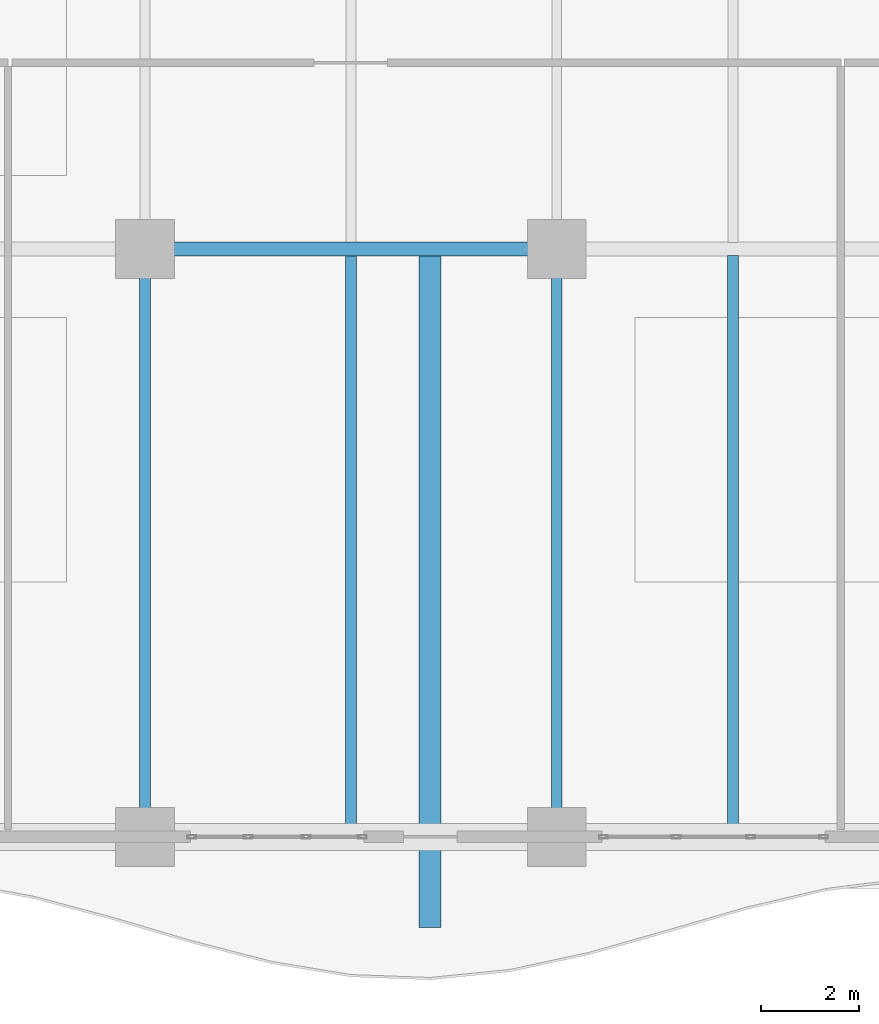
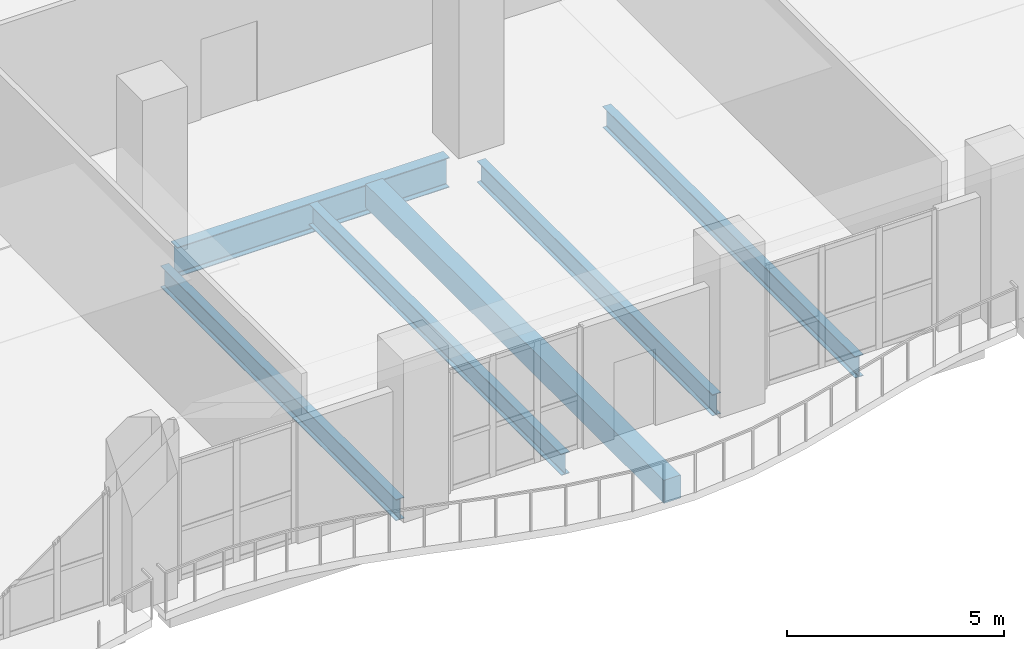
# One storey, part 13 of 37: 6 beams.
"""IFC4 building model written with IfcOpenShell, lengths in metres."""

from ifc_helpers import new_model, si_unit, direction, frame, origin, origin_2d, place, context, subcontext, project, spatial, rectangle, i_section, extrude, material, material_profile, profile_set, type_object, element, save


model = new_model("IFC4")

# Units and contexts
model_context = context("Model", 3, precision=1e-05, world=origin(), true_north=direction((0.0, 1.0)))
body_context = subcontext(model_context, "Body", "Model", "MODEL_VIEW")
ifc_project = project(units=[si_unit("LENGTHUNIT", "METRE"), si_unit("AREAUNIT", "SQUARE_METRE"), si_unit("VOLUMEUNIT", "CUBIC_METRE"), si_unit("PLANEANGLEUNIT", "RADIAN"), si_unit("MASSUNIT", "GRAM", prefix="KILO")], contexts=[model_context])

# Site, building, storey
site_placement = place(None, origin())
site = spatial("IfcSite", under=ifc_project, at=site_placement, CompositionType="ELEMENT")
building_placement = place(site_placement, origin())
building = spatial("IfcBuilding", under=site, at=building_placement, Name="Kaelvorn Grand Hotel", CompositionType="ELEMENT")
storey_placement = place(building_placement, frame((0.0, 0.0, 224.35009765625)))
storey = spatial("IfcBuildingStorey", under=building, at=storey_placement, Name="L55", CompositionType="ELEMENT", Elevation=224.35009765625)

# Beams
ifc_material_1 = material(Name="Steel S355", Category="steel")
ifc_material_profile_1 = material_profile(ifc_material_1, i_section(OverallWidth=0.29248046875, OverallDepth=0.8408203125, WebThickness=0.0146484375, FlangeThickness=0.021728515625, FilletRadius=0.017822265625, at=origin_2d()), Name="UB 838x292x194")
ifc_profile_set_1 = profile_set([ifc_material_profile_1], Name="Steel S355")
beam_type_1 = type_object("IfcBeamType", Name="BM-G-UB838-S355", PredefinedType="BEAM", material=ifc_profile_set_1)
beam_1_placement = place(storey_placement, frame((38.385009765625, 15.0, -0.660400390625), z_axis=(1.0, 0.0, 0.0), x_axis=(0.0, 1.0, 0.0)))
element("IfcBeam", 1, at=beam_1_placement, inside=storey, type_object=beam_type_1, Name="L55 Primary Spine Steel Girder G-15 04", PredefinedType="BEAM", context=body_context, shape_type="SweptSolid", body=[
    extrude(i_section(OverallWidth=0.29248046875, OverallDepth=0.8408203125, WebThickness=0.0146484375, FlangeThickness=0.021728515625, FilletRadius=0.017822265625, at=origin_2d()), origin(), (0.0, 0.0, 1.0), 7.22998046875),
])
ifc_material_profile_2 = material_profile(ifc_material_1, i_section(OverallWidth=0.219970703125, OverallDepth=0.60009765625, WebThickness=0.011962890625, FlangeThickness=0.01904296875, FilletRadius=0.02392578125, at=origin_2d()), Name="IPE 600")
ifc_profile_set_2 = profile_set([ifc_material_profile_2], Name="Steel S355")
beam_type_2 = type_object("IfcBeamType", Name="BM-J-IPE600-S355", PredefinedType="JOIST", material=ifc_profile_set_2)
beam_2_placement = place(storey_placement, frame((37.800048828125, 3.5849609375, -0.5400390625), z_axis=(0.0, 1.0, 0.0), x_axis=(-1.0, 0.0, 0.0)))
element("IfcBeam", 2, at=beam_2_placement, inside=storey, type_object=beam_type_2, Name="L55 Composite Floor Joist JS-11", PredefinedType="JOIST", context=body_context, shape_type="SweptSolid", body=[
    extrude(i_section(OverallWidth=0.219970703125, OverallDepth=0.60009765625, WebThickness=0.011962890625, FlangeThickness=0.01904296875, FilletRadius=0.02392578125, at=origin_2d()), origin(), (0.0, 0.0, 1.0), 10.830078125),
])
beam_3_placement = place(storey_placement, frame((42.0, 3.260009765625, -0.5400390625), z_axis=(0.0, 1.0, 0.0), x_axis=(-1.0, 0.0, 0.0)))
element("IfcBeam", 3, at=beam_3_placement, inside=storey, type_object=beam_type_2, Name="L55 Composite Floor Joist JS-12", PredefinedType="JOIST", context=body_context, shape_type="SweptSolid", body=[
    extrude(i_section(OverallWidth=0.219970703125, OverallDepth=0.60009765625, WebThickness=0.011962890625, FlangeThickness=0.01904296875, FilletRadius=0.02392578125, at=origin_2d()), origin(), (0.0, 0.0, 1.0), 11.60888671875),
])
beam_4_placement = place(storey_placement, frame((46.199951171875, 3.5849609375, -0.5400390625), z_axis=(0.0, 1.0, 0.0), x_axis=(-1.0, 0.0, 0.0)))
element("IfcBeam", 4, at=beam_4_placement, inside=storey, type_object=beam_type_2, Name="L55 Composite Floor Joist JS-13", PredefinedType="JOIST", context=body_context, shape_type="SweptSolid", body=[
    extrude(i_section(OverallWidth=0.219970703125, OverallDepth=0.60009765625, WebThickness=0.011962890625, FlangeThickness=0.01904296875, FilletRadius=0.02392578125, at=origin_2d()), origin(), (0.0, 0.0, 1.0), 10.830078125),
])
beam_5_placement = place(storey_placement, frame((49.800048828125, 3.260009765625, -0.5400390625), z_axis=(0.0, 1.0, 0.0), x_axis=(-1.0, 0.0, 0.0)))
element("IfcBeam", 5, at=beam_5_placement, inside=storey, type_object=beam_type_2, Name="L55 Composite Floor Joist JS-14", PredefinedType="JOIST", context=body_context, shape_type="SweptSolid", body=[
    extrude(i_section(OverallWidth=0.219970703125, OverallDepth=0.60009765625, WebThickness=0.011962890625, FlangeThickness=0.01904296875, FilletRadius=0.02392578125, at=origin_2d()), origin(), (0.0, 0.0, 1.0), 11.60888671875),
])
ifc_material_2 = material(Name="Concrete C40/50", Category="concrete")
ifc_material_profile_3 = material_profile(ifc_material_2, rectangle(XDim=0.449951171875, YDim=0.64990234375, at=origin_2d()), Name="RC RIB 450x650")
ifc_profile_set_3 = profile_set([ifc_material_profile_3], Name="Concrete C40/50")
beam_type_3 = type_object("IfcBeamType", Name="BM-RIB-450x650-C40", PredefinedType="SPANDREL", material=ifc_profile_set_3)
beam_6_placement = place(storey_placement, frame((43.618896484375, 1.14990234375, -0.545166015625), z_axis=(0.0, 1.0, 0.0), x_axis=(-1.0, 0.0, 0.0)))
element("IfcBeam", 6, at=beam_6_placement, inside=storey, type_object=beam_type_3, Name="L55 Cantilevered Balcony Back-Span Rib RB1-2", PredefinedType="SPANDREL", context=body_context, shape_type="SweptSolid", body=[
    extrude(rectangle(XDim=0.449951171875, YDim=0.64990234375, at=origin_2d()), origin(), (0.0, 0.0, 1.0), 13.718994140625),
])

save(model, "model.ifc")
